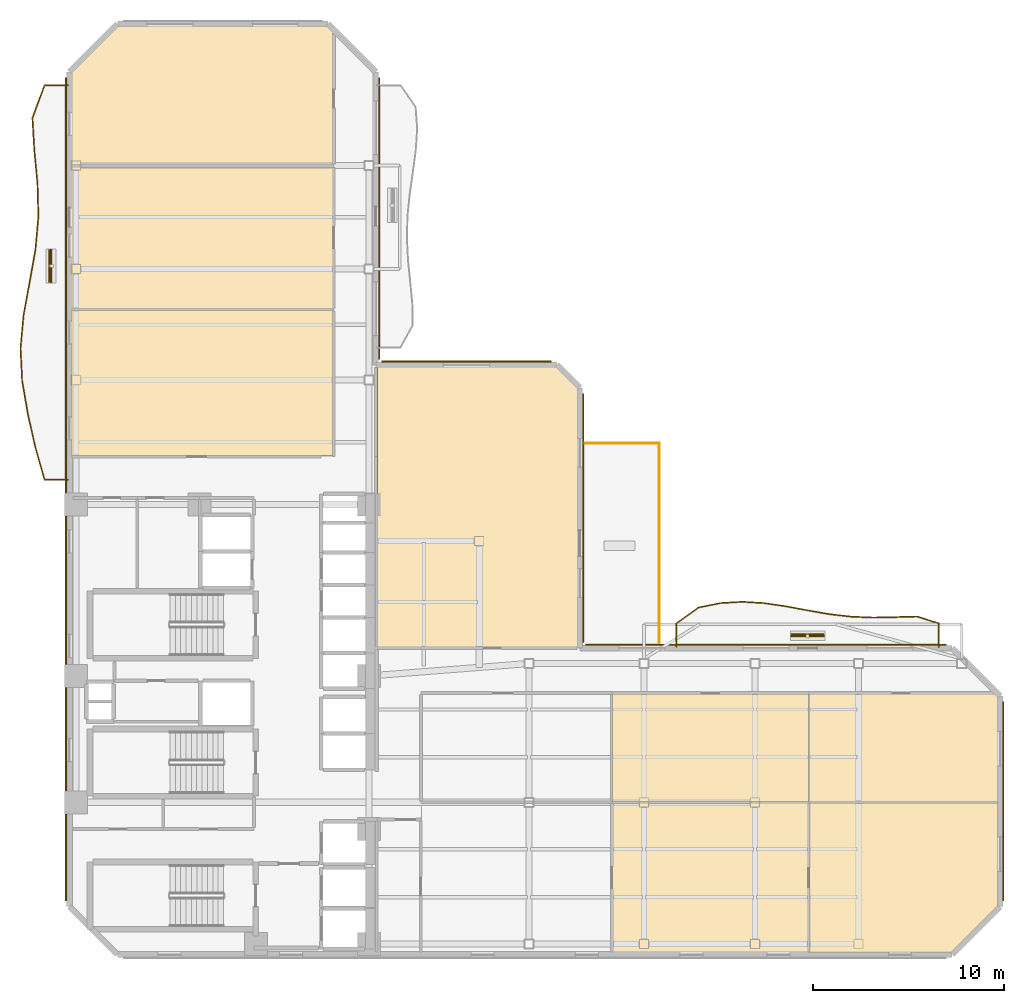
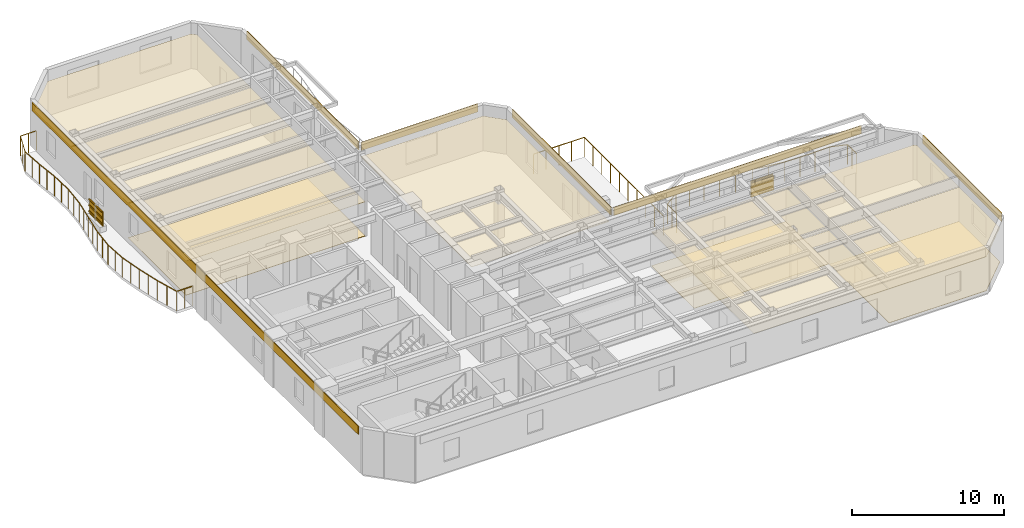
# One storey, part 10 of 11: 17 coverings, 8 shading devices, 4 railings.
"""IFC4 building model written with IfcOpenShell, lengths in metres."""

from ifc_helpers import new_model, si_unit, direction, frame, origin, origin_2d, place, context, subcontext, project, spatial, polyline, rectangle, outline, extrude, material, layer, layer_set, material_profile, profile_set, type_object, element, save


model = new_model("IFC4")

# Units and contexts
model_context = context("Model", 3, precision=1e-05, world=origin(), true_north=direction((0.0, 1.0)))
body_context = subcontext(model_context, "Body", "Model", "MODEL_VIEW")
ifc_project = project(units=[si_unit("LENGTHUNIT", "METRE"), si_unit("AREAUNIT", "SQUARE_METRE"), si_unit("VOLUMEUNIT", "CUBIC_METRE"), si_unit("PLANEANGLEUNIT", "RADIAN"), si_unit("MASSUNIT", "GRAM", prefix="KILO")], contexts=[model_context])

# Site, building, storey
site_placement = place(None, origin())
site = spatial("IfcSite", under=ifc_project, at=site_placement, CompositionType="ELEMENT")
building_placement = place(site_placement, origin())
building = spatial("IfcBuilding", under=site, at=building_placement, Name="Mawjaban Terraces University", CompositionType="ELEMENT")
storey_placement = place(building_placement, frame((0.0, 0.0, 103.39990234375)))
storey = spatial("IfcBuildingStorey", under=building, at=storey_placement, Name="L24", CompositionType="ELEMENT", Elevation=103.39990234375)

# Coverings
ifc_material_1 = material(Name="Acoustic mineral fibre ceiling tile", Category="masonry")
ifc_layer_1 = layer(ifc_material_1, 0.02001953125)
ifc_layer_set_1 = layer_set([ifc_layer_1], Name="Acoustic mineral fibre ceiling tile")
covering_type_1 = type_object("IfcCoveringType", Name="AcousticMineralCeiling_20", PredefinedType="CEILING", material=ifc_layer_set_1)
covering_1_placement = place(storey_placement, frame((0.0, 0.0, 2.75)))
element("IfcCovering", 1, at=covering_1_placement, inside=storey, type_object=covering_type_1, Name="L24 Teaching Laboratory 4 Acoustic Ceiling", PredefinedType="CEILING", context=body_context, shape_type="SweptSolid", body=[
    extrude(outline(polyline([(50.362060546875, 0.114990234375), (60.5869140625, 0.114990234375), (60.5869140625, 7.919921875), (50.362060546875, 7.919921875), (50.362060546875, 0.114990234375)])), origin(), (0.0, 0.0, 1.0), 0.02001953125),
])
covering_2_placement = place(storey_placement, frame((0.0, 0.0, 2.75)))
element("IfcCovering", 2, at=covering_2_placement, inside=storey, type_object=covering_type_1, Name="L24 Seminar Room 5 Acoustic Ceiling", PredefinedType="CEILING", context=body_context, shape_type="SweptSolid", body=[
    extrude(outline(polyline([(60.5869140625, 7.97998046875), (60.5869140625, 13.6201171875), (50.362060546875, 13.6201171875), (50.362060546875, 7.97998046875), (60.5869140625, 7.97998046875)])), origin(), (0.0, 0.0, 1.0), 0.02001953125),
])
covering_3_placement = place(storey_placement, frame((0.0, 0.0, 2.75)))
element("IfcCovering", 3, at=covering_3_placement, inside=storey, type_object=covering_type_1, Name="L24 Classroom 6 Acoustic Ceiling", PredefinedType="CEILING", context=body_context, shape_type="SweptSolid", body=[
    extrude(outline(polyline([(60.64697265625, 0.114990234375), (68.052978515625, 0.114990234375), (70.485107421875, 2.547119140625), (70.485107421875, 7.919921875), (60.64697265625, 7.919921875), (60.64697265625, 0.114990234375)])), origin(), (0.0, 0.0, 1.0), 0.02001953125),
])
covering_4_placement = place(storey_placement, frame((0.0, 0.0, 2.75)))
element("IfcCovering", 4, at=covering_4_placement, inside=storey, type_object=covering_type_1, Name="L24 Faculty Office 7 Acoustic Ceiling", PredefinedType="CEILING", context=body_context, shape_type="SweptSolid", body=[
    extrude(outline(polyline([(70.485107421875, 7.97998046875), (70.485107421875, 13.452880859375), (70.318115234375, 13.6201171875), (60.64697265625, 13.6201171875), (60.64697265625, 7.97998046875), (70.485107421875, 7.97998046875)])), origin(), (0.0, 0.0, 1.0), 0.02001953125),
])
covering_5_placement = place(storey_placement, frame((0.0, 0.0, 2.75)))
element("IfcCovering", 5, at=covering_5_placement, inside=storey, type_object=covering_type_1, Name="L24 Classroom 8 Acoustic Ceiling", PredefinedType="CEILING", context=body_context, shape_type="SweptSolid", body=[
    extrude(outline(polyline([(22.114990234375, 33.654052734375), (22.114990234375, 26.030029296875), (35.77001953125, 26.030029296875), (35.77001953125, 33.654052734375), (22.114990234375, 33.654052734375)])), origin(), (0.0, 0.0, 1.0), 0.02001953125),
])
covering_6_placement = place(storey_placement, frame((0.0, 0.0, 2.75)))
element("IfcCovering", 6, at=covering_6_placement, inside=storey, type_object=covering_type_1, Name="L24 Computational Laboratory 9 Acoustic Ceiling", PredefinedType="CEILING", context=body_context, shape_type="SweptSolid", body=[
    extrude(outline(polyline([(22.114990234375, 41.169921875), (22.114990234375, 33.714111328125), (35.77001953125, 33.714111328125), (35.77001953125, 41.169921875), (22.114990234375, 41.169921875)])), origin(), (0.0, 0.0, 1.0), 0.02001953125),
])
covering_7_placement = place(storey_placement, frame((0.0, 0.0, 2.75)))
element("IfcCovering", 7, at=covering_7_placement, inside=storey, type_object=covering_type_1, Name="L24 Design Studio 10 Acoustic Ceiling", PredefinedType="CEILING", context=body_context, shape_type="SweptSolid", body=[
    extrude(outline(polyline([(35.77001953125, 48.16796875), (35.452880859375, 48.485107421875), (24.547119140625, 48.485107421875), (22.114990234375, 46.052978515625), (22.114990234375, 41.22998046875), (35.77001953125, 41.22998046875), (35.77001953125, 48.16796875)])), origin(), (0.0, 0.0, 1.0), 0.02001953125),
])
covering_8_placement = place(storey_placement, frame((0.0, 0.0, 2.75)))
element("IfcCovering", 8, at=covering_8_placement, inside=storey, type_object=covering_type_1, Name="L24 Terrace Collaborative Study Room Acoustic Ceiling", PredefinedType="CEILING", context=body_context, shape_type="SweptSolid", body=[
    extrude(outline(polyline([(48.541015625, 16.030029296875), (48.541015625, 29.552978515625), (47.408935546875, 30.68505859375), (38.080078125, 30.68505859375), (38.080078125, 16.030029296875), (48.541015625, 16.030029296875)])), origin(), (0.0, 0.0, 1.0), 0.02001953125),
])

# Railings
ifc_material_2 = material(Name="Galvanised powder-coated steel S355", Category="steel")
railing_type = type_object("IfcRailingType", Name="BalconyBalustrade_1600", PredefinedType="BALUSTRADE", material=ifc_material_2)
railing_1_placement = place(storey_placement, frame((21.919921875, 24.800048828125, 0.0)))
element("IfcRailing", 9, at=railing_1_placement, inside=storey, type_object=railing_type, Name="L24 Balcony Guardrail west", PredefinedType="BALUSTRADE", context=body_context, shape_type="SweptSolid", body=[
    extrude(rectangle(XDim=0.048095703125, YDim=0.048095703125, at=origin_2d()), frame((0.0, 0.0, 1.576171875), z_axis=(-1.0, 0.0, 0.0), x_axis=(0.0, -1.0, 0.0)), (0.0, 0.0, 1.0), 1.219970703125),
    extrude(rectangle(XDim=0.048095703125, YDim=0.048095703125, at=origin_2d()), frame((-1.219970703125, 0.0, 1.576171875), z_axis=(-0.274919735508, 0.961467180422, 0.0), x_axis=(-0.961467180422, -0.274919735508, 0.0)), (0.0, 0.0, 1.0), 1.785888671875),
    extrude(rectangle(XDim=0.048095703125, YDim=0.048095703125, at=origin_2d()), frame((-1.7109375, 1.717041015625, 1.576171875), z_axis=(-0.217886102131, 0.975974203808, 0.0), x_axis=(-0.975974203808, -0.217886102131, 0.0)), (0.0, 0.0, 1.0), 1.758056640625),
    extrude(rectangle(XDim=0.048095703125, YDim=0.048095703125, at=origin_2d()), frame((-2.093994140625, 3.432861328125, 1.576171875), z_axis=(-0.170371389798, 0.98537992142, 0.0), x_axis=(-0.98537992142, -0.170371389798, 0.0)), (0.0, 0.0, 1.0), 1.742431640625),
    extrude(rectangle(XDim=0.048095703125, YDim=0.048095703125, at=origin_2d()), frame((-2.390869140625, 5.14990234375, 1.576171875), z_axis=(-0.049420555113, 0.998778057795, 0.0), x_axis=(-0.998778057795, -0.049420555113, 0.0)), (0.0, 0.0, 1.0), 1.71923828125),
    extrude(rectangle(XDim=0.048095703125, YDim=0.048095703125, at=origin_2d()), frame((-2.475830078125, 6.866943359375, 1.576171875), z_axis=(0.091659749456, 0.995790384735, 0.0), x_axis=(-0.995790384735, 0.091659749456, 0.0)), (0.0, 0.0, 1.0), 1.723388671875),
    extrude(rectangle(XDim=0.048095703125, YDim=0.048095703125, at=origin_2d()), frame((-2.31787109375, 8.5830078125, 1.576171875), z_axis=(0.179870018073, 0.983690386554, 0.0), x_axis=(-0.983690386554, 0.179870018073, 0.0)), (0.0, 0.0, 1.0), 1.74560546875),
    extrude(rectangle(XDim=0.048095703125, YDim=0.048095703125, at=origin_2d()), frame((-2.00390625, 10.300048828125, 1.576171875), z_axis=(0.175422364113, 0.984493267711, 0.0), x_axis=(-0.984493267711, 0.175422364113, 0.0)), (0.0, 0.0, 1.0), 1.743896484375),
    extrude(rectangle(XDim=0.048095703125, YDim=0.048095703125, at=origin_2d()), frame((-1.697998046875, 12.016845703125, 1.576171875), z_axis=(0.089411396543, 0.995994780191, 0.0), x_axis=(-0.995994780191, 0.089411396543, 0.0)), (0.0, 0.0, 1.0), 1.722900390625),
    extrude(rectangle(XDim=0.048095703125, YDim=0.048095703125, at=origin_2d()), frame((-1.5439453125, 13.73291015625, 1.576171875), z_axis=(-0.02672157941, 0.999642914842, 0.0), x_axis=(-0.999642914842, -0.02672157941, 0.0)), (0.0, 0.0, 1.0), 1.7177734375),
    extrude(rectangle(XDim=0.048095703125, YDim=0.048095703125, at=origin_2d()), frame((-1.58984375, 15.449951171875, 1.576171875), z_axis=(-0.095116345971, 0.995466162523, 0.0), x_axis=(-0.995466162523, -0.095116345971, 0.0)), (0.0, 0.0, 1.0), 1.724853515625),
    extrude(rectangle(XDim=0.048095703125, YDim=0.048095703125, at=origin_2d()), frame((-1.75390625, 17.1669921875, 1.576171875), z_axis=(-0.057664592582, 0.998336012955, 0.0), x_axis=(-0.998336012955, -0.057664592582, 0.0)), (0.0, 0.0, 1.0), 1.718994140625),
    extrude(rectangle(XDim=0.048095703125, YDim=0.048095703125, at=origin_2d()), frame((-1.85302734375, 18.883056640625, 1.576171875), z_axis=(0.345971218819, 0.93824512562, 0.0), x_axis=(-0.93824512562, 0.345971218819, 0.0)), (0.0, 0.0, 1.0), 1.829833984375),
    extrude(rectangle(XDim=0.048095703125, YDim=0.048095703125, at=origin_2d()), frame((-1.219970703125, 20.599853515625, 1.576171875), z_axis=(1.0, 0.0, 0.0), x_axis=(0.0, 1.0, 0.0)), (0.0, 0.0, 1.0), 1.219970703125),
    extrude(rectangle(XDim=0.0419921875, YDim=0.0419921875, at=origin_2d()), origin(), (0.0, 0.0, 1.0), 1.552001953125),
    extrude(rectangle(XDim=0.0419921875, YDim=0.0419921875, at=origin_2d()), frame((-0.60986328125, 0.0, 0.0)), (0.0, 0.0, 1.0), 1.552001953125),
    extrude(rectangle(XDim=0.0419921875, YDim=0.0419921875, at=origin_2d()), frame((-1.219970703125, 0.0, 0.0)), (0.0, 0.0, 1.0), 1.552001953125),
    extrude(rectangle(XDim=0.0419921875, YDim=0.0419921875, at=origin_2d()), frame((-1.46533203125, 0.8583984375, 0.0)), (0.0, 0.0, 1.0), 1.552001953125),
    extrude(rectangle(XDim=0.0419921875, YDim=0.0419921875, at=origin_2d()), frame((-1.7109375, 1.717041015625, 0.0)), (0.0, 0.0, 1.0), 1.552001953125),
    extrude(rectangle(XDim=0.0419921875, YDim=0.0419921875, at=origin_2d()), frame((-1.90234375, 2.574951171875, 0.0)), (0.0, 0.0, 1.0), 1.552001953125),
    extrude(rectangle(XDim=0.0419921875, YDim=0.0419921875, at=origin_2d()), frame((-2.093994140625, 3.432861328125, 0.0)), (0.0, 0.0, 1.0), 1.552001953125),
    extrude(rectangle(XDim=0.0419921875, YDim=0.0419921875, at=origin_2d()), frame((-2.242431640625, 4.29150390625, 0.0)), (0.0, 0.0, 1.0), 1.552001953125),
    extrude(rectangle(XDim=0.0419921875, YDim=0.0419921875, at=origin_2d()), frame((-2.390869140625, 5.14990234375, 0.0)), (0.0, 0.0, 1.0), 1.552001953125),
    extrude(rectangle(XDim=0.0419921875, YDim=0.0419921875, at=origin_2d()), frame((-2.433349609375, 6.00830078125, 0.0)), (0.0, 0.0, 1.0), 1.552001953125),
    extrude(rectangle(XDim=0.0419921875, YDim=0.0419921875, at=origin_2d()), frame((-2.475830078125, 6.866943359375, 0.0)), (0.0, 0.0, 1.0), 1.552001953125),
    extrude(rectangle(XDim=0.0419921875, YDim=0.0419921875, at=origin_2d()), frame((-2.39697265625, 7.72509765625, 0.0)), (0.0, 0.0, 1.0), 1.552001953125),
    extrude(rectangle(XDim=0.0419921875, YDim=0.0419921875, at=origin_2d()), frame((-2.31787109375, 8.5830078125, 0.0)), (0.0, 0.0, 1.0), 1.552001953125),
    extrude(rectangle(XDim=0.0419921875, YDim=0.0419921875, at=origin_2d()), frame((-2.160888671875, 9.44140625, 0.0)), (0.0, 0.0, 1.0), 1.552001953125),
    extrude(rectangle(XDim=0.0419921875, YDim=0.0419921875, at=origin_2d()), frame((-2.00390625, 10.300048828125, 0.0)), (0.0, 0.0, 1.0), 1.552001953125),
    extrude(rectangle(XDim=0.0419921875, YDim=0.0419921875, at=origin_2d()), frame((-1.85107421875, 11.158447265625, 0.0)), (0.0, 0.0, 1.0), 1.552001953125),
    extrude(rectangle(XDim=0.0419921875, YDim=0.0419921875, at=origin_2d()), frame((-1.697998046875, 12.016845703125, 0.0)), (0.0, 0.0, 1.0), 1.552001953125),
    extrude(rectangle(XDim=0.0419921875, YDim=0.0419921875, at=origin_2d()), frame((-1.62109375, 12.875, 0.0)), (0.0, 0.0, 1.0), 1.552001953125),
    extrude(rectangle(XDim=0.0419921875, YDim=0.0419921875, at=origin_2d()), frame((-1.5439453125, 13.73291015625, 0.0)), (0.0, 0.0, 1.0), 1.552001953125),
    extrude(rectangle(XDim=0.0419921875, YDim=0.0419921875, at=origin_2d()), frame((-1.56689453125, 14.59130859375, 0.0)), (0.0, 0.0, 1.0), 1.552001953125),
    extrude(rectangle(XDim=0.0419921875, YDim=0.0419921875, at=origin_2d()), frame((-1.58984375, 15.449951171875, 0.0)), (0.0, 0.0, 1.0), 1.552001953125),
    extrude(rectangle(XDim=0.0419921875, YDim=0.0419921875, at=origin_2d()), frame((-1.671875, 16.30859375, 0.0)), (0.0, 0.0, 1.0), 1.552001953125),
    extrude(rectangle(XDim=0.0419921875, YDim=0.0419921875, at=origin_2d()), frame((-1.75390625, 17.1669921875, 0.0)), (0.0, 0.0, 1.0), 1.552001953125),
    extrude(rectangle(XDim=0.0419921875, YDim=0.0419921875, at=origin_2d()), frame((-1.803466796875, 18.02490234375, 0.0)), (0.0, 0.0, 1.0), 1.552001953125),
    extrude(rectangle(XDim=0.0419921875, YDim=0.0419921875, at=origin_2d()), frame((-1.85302734375, 18.883056640625, 0.0)), (0.0, 0.0, 1.0), 1.552001953125),
    extrude(rectangle(XDim=0.0419921875, YDim=0.0419921875, at=origin_2d()), frame((-1.53662109375, 19.741455078125, 0.0)), (0.0, 0.0, 1.0), 1.552001953125),
    extrude(rectangle(XDim=0.0419921875, YDim=0.0419921875, at=origin_2d()), frame((-1.219970703125, 20.599853515625, 0.0)), (0.0, 0.0, 1.0), 1.552001953125),
    extrude(rectangle(XDim=0.0419921875, YDim=0.0419921875, at=origin_2d()), frame((-0.60986328125, 20.599853515625, 0.0)), (0.0, 0.0, 1.0), 1.552001953125),
    extrude(rectangle(XDim=0.0419921875, YDim=0.0419921875, at=origin_2d()), frame((0.0, 20.599853515625, 0.0)), (0.0, 0.0, 1.0), 1.552001953125),
])
railing_2_placement = place(storey_placement, frame((53.699951171875, 16.080078125, 0.0)))
element("IfcRailing", 10, at=railing_2_placement, inside=storey, type_object=railing_type, Name="L24 Balcony Guardrail inner_north", PredefinedType="BALUSTRADE", context=body_context, shape_type="SweptSolid", body=[
    extrude(rectangle(XDim=0.048095703125, YDim=0.048095703125, at=origin_2d()), frame((0.0, 0.0, 1.576171875), z_axis=(0.0, 1.0, 0.0), x_axis=(-1.0, 0.0, 0.0)), (0.0, 0.0, 1.0), 1.219970703125),
    extrude(rectangle(XDim=0.048095703125, YDim=0.048095703125, at=origin_2d()), frame((0.0, 1.219970703125, 1.576171875), z_axis=(0.811300723172, 0.58462905896, 0.0), x_axis=(-0.58462905896, 0.811300723172, 0.0)), (0.0, 0.0, 1.0), 1.40771484375),
    extrude(rectangle(XDim=0.048095703125, YDim=0.048095703125, at=origin_2d()), frame((1.14208984375, 2.04296875, 1.576171875), z_axis=(0.979625972189, 0.200830661536, 0.0), x_axis=(-0.200830661536, 0.979625972189, 0.0)), (0.0, 0.0, 1.0), 1.16455078125),
    extrude(rectangle(XDim=0.048095703125, YDim=0.048095703125, at=origin_2d()), frame((2.282958984375, 2.27685546875, 1.576171875), z_axis=(0.998123323235, 0.061235868698, 0.0), x_axis=(-0.061235868698, 0.998123323235, 0.0)), (0.0, 0.0, 1.0), 1.144287109375),
    extrude(rectangle(XDim=0.048095703125, YDim=0.048095703125, at=origin_2d()), frame((3.425048828125, 2.346923828125, 1.576171875), z_axis=(0.998226213846, -0.059535082014, 0.0), x_axis=(0.059535082014, 0.998226213846, 0.0)), (0.0, 0.0, 1.0), 1.14404296875),
    extrude(rectangle(XDim=0.048095703125, YDim=0.048095703125, at=origin_2d()), frame((4.567138671875, 2.27880859375, 1.576171875), z_axis=(0.989334920783, -0.145658554569, 0.0), x_axis=(0.145658554569, 0.989334920783, 0.0)), (0.0, 0.0, 1.0), 1.153076171875),
    extrude(rectangle(XDim=0.048095703125, YDim=0.048095703125, at=origin_2d()), frame((5.7080078125, 2.11083984375, 1.576171875), z_axis=(0.983066715928, -0.183248006902, 0.0), x_axis=(0.183248006902, 0.983066715928, 0.0)), (0.0, 0.0, 1.0), 1.161865234375),
    extrude(rectangle(XDim=0.048095703125, YDim=0.048095703125, at=origin_2d()), frame((6.85009765625, 1.89794921875, 1.576171875), z_axis=(0.985438210458, -0.170033918289, 0.0), x_axis=(0.170033918289, 0.985438210458, 0.0)), (0.0, 0.0, 1.0), 1.15869140625),
    extrude(rectangle(XDim=0.048095703125, YDim=0.048095703125, at=origin_2d()), frame((7.991943359375, 1.700927734375, 1.576171875), z_axis=(0.993367917664, -0.114979042246, 0.0), x_axis=(0.114979042246, 0.993367917664, 0.0)), (0.0, 0.0, 1.0), 1.148681640625),
    extrude(rectangle(XDim=0.048095703125, YDim=0.048095703125, at=origin_2d()), frame((9.133056640625, 1.56884765625, 1.576171875), z_axis=(0.999158791293, -0.041008654965, 0.0), x_axis=(0.041008654965, 0.999158791293, 0.0)), (0.0, 0.0, 1.0), 1.14306640625),
    extrude(rectangle(XDim=0.048095703125, YDim=0.048095703125, at=origin_2d()), frame((10.275146484375, 1.52197265625, 1.576171875), z_axis=(0.999798089259, 0.020094295572, 0.0), x_axis=(-0.020094295572, 0.999798089259, 0.0)), (0.0, 0.0, 1.0), 1.14208984375),
    extrude(rectangle(XDim=0.048095703125, YDim=0.048095703125, at=origin_2d()), frame((11.4169921875, 1.544921875, 1.576171875), z_axis=(0.999607464078, 0.028016383781, 0.0), x_axis=(-0.028016383781, 0.999607464078, 0.0)), (0.0, 0.0, 1.0), 1.1416015625),
    extrude(rectangle(XDim=0.048095703125, YDim=0.048095703125, at=origin_2d()), frame((12.55810546875, 1.576904296875, 1.576171875), z_axis=(0.954454556087, -0.298356331195, 0.0), x_axis=(0.298356331195, 0.954454556087, 0.0)), (0.0, 0.0, 1.0), 1.1962890625),
    extrude(rectangle(XDim=0.048095703125, YDim=0.048095703125, at=origin_2d()), frame((13.699951171875, 1.219970703125, 1.576171875), z_axis=(0.0, -1.0, 0.0), x_axis=(1.0, 0.0, 0.0)), (0.0, 0.0, 1.0), 1.219970703125),
    extrude(rectangle(XDim=0.0419921875, YDim=0.0419921875, at=origin_2d()), origin(), (0.0, 0.0, 1.0), 1.552001953125),
    extrude(rectangle(XDim=0.0419921875, YDim=0.0419921875, at=origin_2d()), frame((0.0, 0.60986328125, 0.0)), (0.0, 0.0, 1.0), 1.552001953125),
    extrude(rectangle(XDim=0.0419921875, YDim=0.0419921875, at=origin_2d()), frame((0.0, 1.219970703125, 0.0)), (0.0, 0.0, 1.0), 1.552001953125),
    extrude(rectangle(XDim=0.0419921875, YDim=0.0419921875, at=origin_2d()), frame((0.571044921875, 1.63134765625, 0.0)), (0.0, 0.0, 1.0), 1.552001953125),
    extrude(rectangle(XDim=0.0419921875, YDim=0.0419921875, at=origin_2d()), frame((1.14208984375, 2.04296875, 0.0)), (0.0, 0.0, 1.0), 1.552001953125),
    extrude(rectangle(XDim=0.0419921875, YDim=0.0419921875, at=origin_2d()), frame((2.282958984375, 2.27685546875, 0.0)), (0.0, 0.0, 1.0), 1.552001953125),
    extrude(rectangle(XDim=0.0419921875, YDim=0.0419921875, at=origin_2d()), frame((3.425048828125, 2.346923828125, 0.0)), (0.0, 0.0, 1.0), 1.552001953125),
    extrude(rectangle(XDim=0.0419921875, YDim=0.0419921875, at=origin_2d()), frame((4.567138671875, 2.27880859375, 0.0)), (0.0, 0.0, 1.0), 1.552001953125),
    extrude(rectangle(XDim=0.0419921875, YDim=0.0419921875, at=origin_2d()), frame((5.7080078125, 2.11083984375, 0.0)), (0.0, 0.0, 1.0), 1.552001953125),
    extrude(rectangle(XDim=0.0419921875, YDim=0.0419921875, at=origin_2d()), frame((6.85009765625, 1.89794921875, 0.0)), (0.0, 0.0, 1.0), 1.552001953125),
    extrude(rectangle(XDim=0.0419921875, YDim=0.0419921875, at=origin_2d()), frame((7.991943359375, 1.700927734375, 0.0)), (0.0, 0.0, 1.0), 1.552001953125),
    extrude(rectangle(XDim=0.0419921875, YDim=0.0419921875, at=origin_2d()), frame((9.133056640625, 1.56884765625, 0.0)), (0.0, 0.0, 1.0), 1.552001953125),
    extrude(rectangle(XDim=0.0419921875, YDim=0.0419921875, at=origin_2d()), frame((10.275146484375, 1.52197265625, 0.0)), (0.0, 0.0, 1.0), 1.552001953125),
    extrude(rectangle(XDim=0.0419921875, YDim=0.0419921875, at=origin_2d()), frame((11.4169921875, 1.544921875, 0.0)), (0.0, 0.0, 1.0), 1.552001953125),
    extrude(rectangle(XDim=0.0419921875, YDim=0.0419921875, at=origin_2d()), frame((12.55810546875, 1.576904296875, 0.0)), (0.0, 0.0, 1.0), 1.552001953125),
    extrude(rectangle(XDim=0.0419921875, YDim=0.0419921875, at=origin_2d()), frame((13.699951171875, 1.219970703125, 0.0)), (0.0, 0.0, 1.0), 1.552001953125),
    extrude(rectangle(XDim=0.0419921875, YDim=0.0419921875, at=origin_2d()), frame((13.699951171875, 0.60986328125, 0.0)), (0.0, 0.0, 1.0), 1.552001953125),
    extrude(rectangle(XDim=0.0419921875, YDim=0.0419921875, at=origin_2d()), frame((13.699951171875, 0.0, 0.0)), (0.0, 0.0, 1.0), 1.552001953125),
])
railing_3_placement = place(storey_placement, frame((52.800048828125, 16.280029296875, 0.0)))
element("IfcRailing", 11, at=railing_3_placement, inside=storey, type_object=railing_type, Name="L24 Terrace Guardrail TER-L24-CLIMB.1", PredefinedType="BALUSTRADE", context=body_context, shape_type="SweptSolid", body=[
    extrude(rectangle(XDim=0.048095703125, YDim=0.048095703125, at=origin_2d()), frame((0.0, 0.0, 1.576171875), z_axis=(0.0, 1.0, 0.0), x_axis=(-1.0, 0.0, 0.0)), (0.0, 0.0, 1.0), 10.419921875),
    extrude(rectangle(XDim=0.0419921875, YDim=0.0419921875, at=origin_2d()), origin(), (0.0, 0.0, 1.0), 1.552001953125),
    extrude(rectangle(XDim=0.0419921875, YDim=0.0419921875, at=origin_2d()), frame((0.0, 1.15771484375, 0.0)), (0.0, 0.0, 1.0), 1.552001953125),
    extrude(rectangle(XDim=0.0419921875, YDim=0.0419921875, at=origin_2d()), frame((0.0, 2.3154296875, 0.0)), (0.0, 0.0, 1.0), 1.552001953125),
    extrude(rectangle(XDim=0.0419921875, YDim=0.0419921875, at=origin_2d()), frame((0.0, 3.473388671875, 0.0)), (0.0, 0.0, 1.0), 1.552001953125),
    extrude(rectangle(XDim=0.0419921875, YDim=0.0419921875, at=origin_2d()), frame((0.0, 4.631103515625, 0.0)), (0.0, 0.0, 1.0), 1.552001953125),
    extrude(rectangle(XDim=0.0419921875, YDim=0.0419921875, at=origin_2d()), frame((0.0, 5.788818359375, 0.0)), (0.0, 0.0, 1.0), 1.552001953125),
    extrude(rectangle(XDim=0.0419921875, YDim=0.0419921875, at=origin_2d()), frame((0.0, 6.946533203125, 0.0)), (0.0, 0.0, 1.0), 1.552001953125),
    extrude(rectangle(XDim=0.0419921875, YDim=0.0419921875, at=origin_2d()), frame((0.0, 8.1044921875, 0.0)), (0.0, 0.0, 1.0), 1.552001953125),
    extrude(rectangle(XDim=0.0419921875, YDim=0.0419921875, at=origin_2d()), frame((0.0, 9.26220703125, 0.0)), (0.0, 0.0, 1.0), 1.552001953125),
    extrude(rectangle(XDim=0.0419921875, YDim=0.0419921875, at=origin_2d()), frame((0.0, 10.419921875, 0.0)), (0.0, 0.0, 1.0), 1.552001953125),
])
railing_4_placement = place(storey_placement, frame((52.800048828125, 26.699951171875, 0.0)))
element("IfcRailing", 12, at=railing_4_placement, inside=storey, type_object=railing_type, Name="L24 Terrace Guardrail TER-L24-CLIMB.2", PredefinedType="BALUSTRADE", context=body_context, shape_type="SweptSolid", body=[
    extrude(rectangle(XDim=0.048095703125, YDim=0.048095703125, at=origin_2d()), frame((0.0, 0.0, 1.576171875), z_axis=(-1.0, 0.0, 0.0), x_axis=(0.0, -1.0, 0.0)), (0.0, 0.0, 1.0), 3.864013671875),
    extrude(rectangle(XDim=0.0419921875, YDim=0.0419921875, at=origin_2d()), origin(), (0.0, 0.0, 1.0), 1.552001953125),
    extrude(rectangle(XDim=0.0419921875, YDim=0.0419921875, at=origin_2d()), frame((-0.966064453125, 0.0, 0.0)), (0.0, 0.0, 1.0), 1.552001953125),
    extrude(rectangle(XDim=0.0419921875, YDim=0.0419921875, at=origin_2d()), frame((-1.93212890625, 0.0, 0.0)), (0.0, 0.0, 1.0), 1.552001953125),
    extrude(rectangle(XDim=0.0419921875, YDim=0.0419921875, at=origin_2d()), frame((-2.89794921875, 0.0, 0.0)), (0.0, 0.0, 1.0), 1.552001953125),
    extrude(rectangle(XDim=0.0419921875, YDim=0.0419921875, at=origin_2d()), frame((-3.864013671875, 0.0, 0.0)), (0.0, 0.0, 1.0), 1.552001953125),
])

# Shading devices
ifc_material_3 = material(Name="Glazed architectural terracotta ceramic", Category="masonry")
ifc_material_profile = material_profile(ifc_material_3, rectangle(XDim=0.06494140625, YDim=0.110107421875, at=origin_2d()), Name="TBAG110X65")
ifc_profile_set = profile_set([ifc_material_profile], Name="Glazed architectural terracotta ceramic")
shading_device_type_1 = type_object("IfcShadingDeviceType", Name="TerracottaBaguette_110x65", PredefinedType="USERDEFINED", material=ifc_profile_set)
for number, where, z_axis, x_axis, name in (
    (13, (20.955078125, 35.10888671875, 0.68017578125), (0.0, 1.0, 0.0), (-1.0, 0.0, 0.0), "L24 Horizontal Terracotta Baguette west.1"),
    (14, (20.955078125, 35.10888671875, 1.150146484375), (0.0, 1.0, 0.0), (-1.0, 0.0, 0.0), "L24 Horizontal Terracotta Baguette west.2"),
    (15, (20.955078125, 35.10888671875, 1.6201171875), (0.0, 1.0, 0.0), (-1.0, 0.0, 0.0), "L24 Horizontal Terracotta Baguette west.3"),
):
    element("IfcShadingDevice", number, at=place(storey_placement, frame(where, z_axis=z_axis, x_axis=x_axis)), inside=storey, type_object=shading_device_type_1, Name=name, ObjectType="BAGUETTE", PredefinedType="USERDEFINED", context=body_context, shape_type="SweptSolid", body=[
        extrude(rectangle(XDim=0.06494140625, YDim=0.110107421875, at=origin_2d()), origin(), (0.0, 0.0, 1.0), 1.7001953125),
    ])
for number, where, z_axis, x_axis, name in (
    (16, (59.699951171875, 16.72998046875, 0.68017578125), (1.0, 0.0, 0.0), (0.0, 1.0, 0.0), "L24 Horizontal Terracotta Baguette inner_north.1"),
    (17, (59.699951171875, 16.72998046875, 1.150146484375), (1.0, 0.0, 0.0), (0.0, 1.0, 0.0), "L24 Horizontal Terracotta Baguette inner_north.2"),
    (18, (59.699951171875, 16.72998046875, 1.6201171875), (1.0, 0.0, 0.0), (0.0, 1.0, 0.0), "L24 Horizontal Terracotta Baguette inner_north.3"),
):
    element("IfcShadingDevice", number, at=place(storey_placement, frame(where, z_axis=z_axis, x_axis=x_axis)), inside=storey, type_object=shading_device_type_1, Name=name, ObjectType="BAGUETTE", PredefinedType="USERDEFINED", context=body_context, shape_type="SweptSolid", body=[
        extrude(rectangle(XDim=0.06494140625, YDim=0.110107421875, at=origin_2d()), origin(), (0.0, 0.0, 1.0), 1.699951171875),
    ])
ifc_layer_2 = layer(ifc_material_3, 0.080078125)
ifc_layer_set_2 = layer_set([ifc_layer_2], Name="Glazed architectural terracotta ceramic")
shading_device_type_2 = type_object("IfcShadingDeviceType", Name="TerracottaScreen_Perforated", PredefinedType="USERDEFINED", material=ifc_layer_set_2)
for number, where, z_axis, x_axis, name in (
    (19, (21.0400390625, 35.958984375, 0.440185546875), (0.0, 0.0, 1.0), (0.0, 1.0, 0.0), "L24 Balcony Perforated Terracotta Screen west"),
    (20, (60.550048828125, 16.64501953125, 0.440185546875), (0.0, 0.0, 1.0), (1.0, 0.0, 0.0), "L24 Balcony Perforated Terracotta Screen inner_north"),
):
    element("IfcShadingDevice", number, at=place(storey_placement, frame(where, z_axis=z_axis, x_axis=x_axis)), inside=storey, type_object=shading_device_type_2, Name=name, ObjectType="SCREEN", PredefinedType="USERDEFINED", context=body_context, shape_type="SweptSolid", body=[
        extrude(rectangle(XDim=1.75, YDim=0.080078125, at=origin_2d()), origin(), (0.0, 0.0, 1.0), 1.14990234375),
    ])

# Coverings
ifc_material_4 = material(Name="Glazed architectural terracotta rainscreen", Category="masonry")
ifc_layer_3 = layer(ifc_material_4, 0.06005859375)
ifc_layer_set_3 = layer_set([ifc_layer_3], Name="Glazed architectural terracotta rainscreen")
covering_type_2 = type_object("IfcCoveringType", Name="TerracottaSpandrelCladding_60", PredefinedType="CLADDING", material=ifc_layer_set_3)
covering_9_placement = place(storey_placement, frame((70.77490234375, 8.0, 3.01513671875), z_axis=(0.0, 0.0, 1.0), x_axis=(0.0, 1.0, 0.0)))
element("IfcCovering", 21, at=covering_9_placement, inside=storey, type_object=covering_type_2, Name="L24 Terracotta Spandrel Cladding 3", PredefinedType="CLADDING", context=body_context, shape_type="SweptSolid", body=[
    extrude(rectangle(XDim=10.39990234375, YDim=0.06005859375, at=origin_2d()), origin(), (0.0, 0.0, 1.0), 0.64990234375),
])
covering_10_placement = place(storey_placement, frame((58.3779296875, 16.175048828125, 3.01513671875), z_axis=(0.0, 0.0, 1.0), x_axis=(-1.0, 0.0, 0.0)))
element("IfcCovering", 22, at=covering_10_placement, inside=storey, type_object=covering_type_2, Name="L24 Terracotta Spandrel Cladding 5", PredefinedType="CLADDING", context=body_context, shape_type="SweptSolid", body=[
    extrude(rectangle(XDim=18.843994140625, YDim=0.06005859375, at=origin_2d()), origin(), (0.0, 0.0, 1.0), 0.64990234375),
])
covering_11_placement = place(storey_placement, frame((48.8310546875, 22.800048828125, 3.01513671875), z_axis=(0.0, 0.0, 1.0), x_axis=(0.0, 1.0, 0.0)))
element("IfcCovering", 23, at=covering_11_placement, inside=storey, type_object=covering_type_2, Name="L24 Terracotta Spandrel Cladding 6", PredefinedType="CLADDING", context=body_context, shape_type="SweptSolid", body=[
    extrude(rectangle(XDim=13.0, YDim=0.06005859375, at=origin_2d()), origin(), (0.0, 0.0, 1.0), 0.64990234375),
])
covering_12_placement = place(storey_placement, frame((42.72802734375, 30.97509765625, 3.01513671875), z_axis=(0.0, 0.0, 1.0), x_axis=(-1.0, 0.0, 0.0)))
element("IfcCovering", 24, at=covering_12_placement, inside=storey, type_object=covering_type_2, Name="L24 Terracotta Spandrel Cladding 8", PredefinedType="CLADDING", context=body_context, shape_type="SweptSolid", body=[
    extrude(rectangle(XDim=8.85595703125, YDim=0.06005859375, at=origin_2d()), origin(), (0.0, 0.0, 1.0), 0.64990234375),
])
covering_13_placement = place(storey_placement, frame((38.175048828125, 38.449951171875, 3.01513671875), z_axis=(0.0, 0.0, 1.0), x_axis=(0.0, 1.0, 0.0)))
element("IfcCovering", 25, at=covering_13_placement, inside=storey, type_object=covering_type_2, Name="L24 Terracotta Spandrel Cladding 9", PredefinedType="CLADDING", context=body_context, shape_type="SweptSolid", body=[
    extrude(rectangle(XDim=14.699951171875, YDim=0.06005859375, at=origin_2d()), origin(), (0.0, 0.0, 1.0), 0.64990234375),
])
covering_14_placement = place(storey_placement, frame((21.824951171875, 24.300048828125, 3.01513671875), z_axis=(0.0, 0.0, 1.0), x_axis=(0.0, -1.0, 0.0)))
element("IfcCovering", 26, at=covering_14_placement, inside=storey, type_object=covering_type_2, Name="L24 Terracotta Spandrel Cladding 13", PredefinedType="CLADDING", context=body_context, shape_type="SweptSolid", body=[
    extrude(rectangle(XDim=43.0, YDim=0.06005859375, at=origin_2d()), origin(), (0.0, 0.0, 1.0), 0.64990234375),
])
ifc_material_5 = material(Name="Polished Hijazi granite terrazzo flooring", Category="masonry")
ifc_layer_4 = layer(ifc_material_5, 0.02490234375)
ifc_layer_set_4 = layer_set([ifc_layer_4], Name="Polished Hijazi granite terrazzo flooring")
covering_type_3 = type_object("IfcCoveringType", Name="TerrazzoConcourseFlooring_25", PredefinedType="FLOORING", material=ifc_layer_set_4)
covering_15_placement = place(storey_placement, origin())
element("IfcCovering", 27, at=covering_15_placement, inside=storey, type_object=covering_type_3, Name="L24 Seminar Room 5 Terrazzo Flooring", PredefinedType="FLOORING", context=body_context, shape_type="SweptSolid", body=[
    extrude(outline(polyline([(60.5869140625, 7.97998046875), (60.5869140625, 13.6201171875), (50.362060546875, 13.6201171875), (50.362060546875, 7.97998046875), (60.5869140625, 7.97998046875)])), origin(), (0.0, 0.0, 1.0), 0.025146484375),
])
covering_16_placement = place(storey_placement, origin())
element("IfcCovering", 28, at=covering_16_placement, inside=storey, type_object=covering_type_3, Name="L24 Classroom 6 Terrazzo Flooring", PredefinedType="FLOORING", context=body_context, shape_type="SweptSolid", body=[
    extrude(outline(polyline([(60.64697265625, 0.114990234375), (68.052978515625, 0.114990234375), (70.485107421875, 2.547119140625), (70.485107421875, 7.919921875), (60.64697265625, 7.919921875), (60.64697265625, 0.114990234375)])), origin(), (0.0, 0.0, 1.0), 0.025146484375),
])
covering_17_placement = place(storey_placement, origin())
element("IfcCovering", 29, at=covering_17_placement, inside=storey, type_object=covering_type_3, Name="L24 Classroom 8 Terrazzo Flooring", PredefinedType="FLOORING", context=body_context, shape_type="SweptSolid", body=[
    extrude(outline(polyline([(22.114990234375, 33.654052734375), (22.114990234375, 26.030029296875), (35.77001953125, 26.030029296875), (35.77001953125, 33.654052734375), (22.114990234375, 33.654052734375)])), origin(), (0.0, 0.0, 1.0), 0.025146484375),
])

save(model, "model.ifc")
